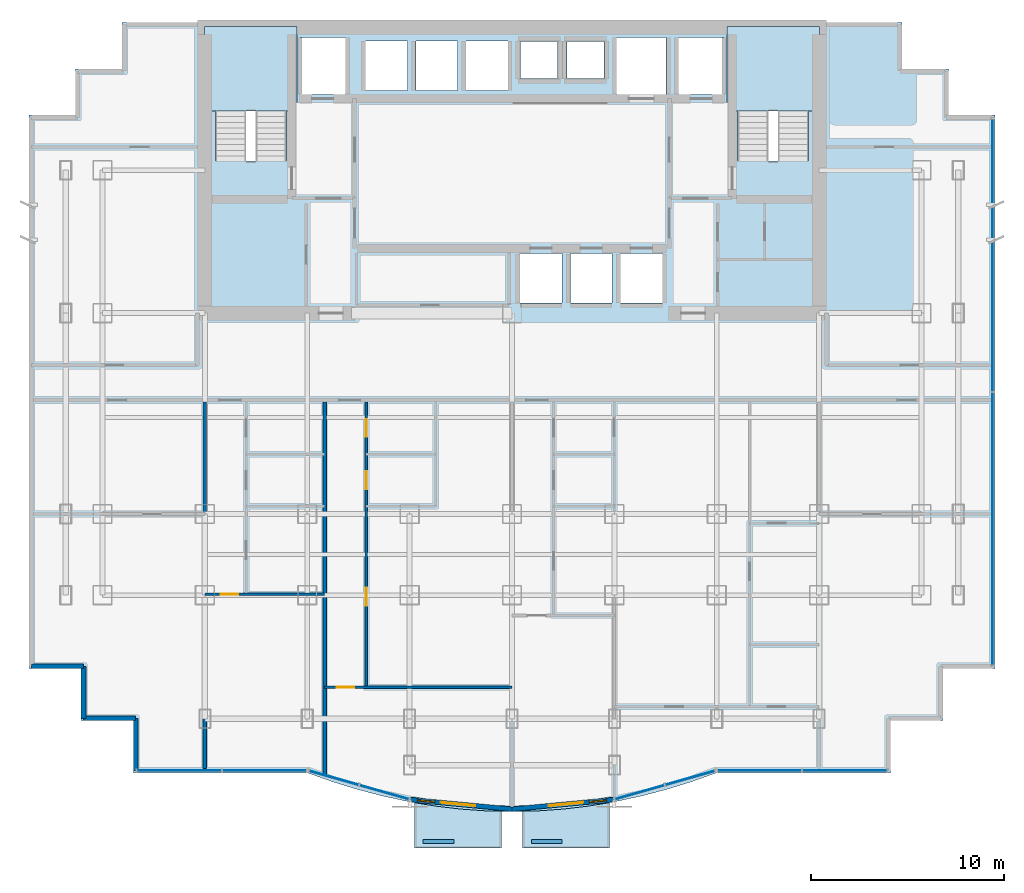
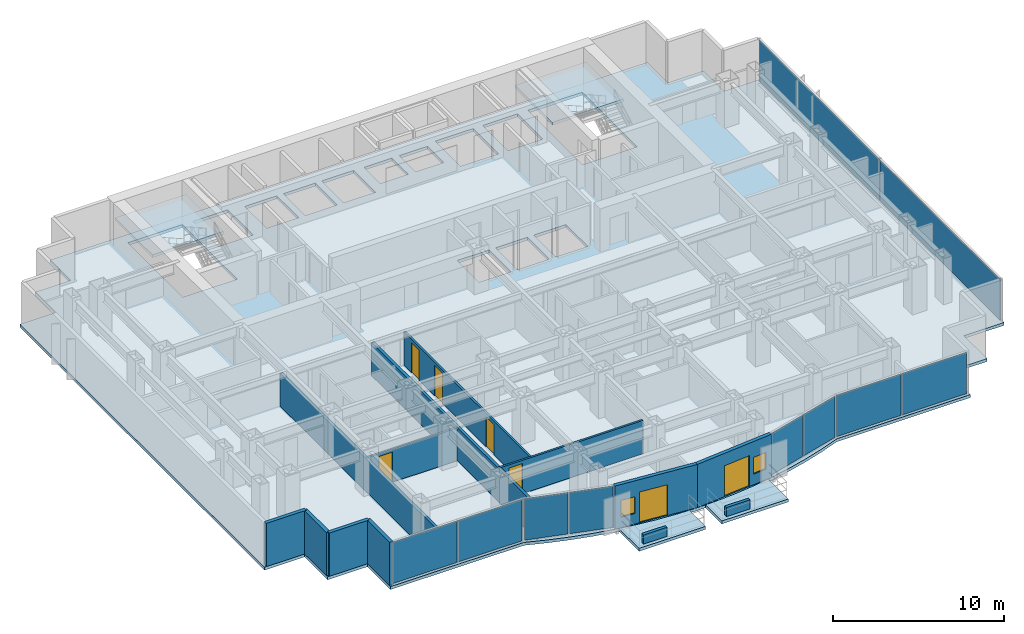
# One storey, part 6 of 12: 13 walls, 10 plates, 7 doors, 5 slabs, 2 windows, 9 openings, 7 elements without a shape of their own.
"""IFC4 building model written with IfcOpenShell, lengths in metres."""

import ifcopenshell
import ifcopenshell.guid

model = None  # the IFC model being written
_history = None  # IfcOwnerHistory: only IFC2X3 demands one
_inside = {}  # id of a spatial element -> (the spatial element, [elements in it])
_under = {}  # id of a project, library or spatial element -> (it, [spatial elements below it])
_declared = {}  # id of a project -> (the project, [libraries it declares])
_typed = {}  # id of a type object -> (the type object, [elements of that type])
_made_of = {}  # id of a material, layer set ... -> (it, [elements and type objects made of it])


def new_model(schema):
    """Start an empty IFC model of exactly this schema.

    Asked for "IFC4X3", IfcOpenShell would pick the latest addendum, in which some entities
    have other attributes; the version numbers below select the first issue.
    IFC2X3 requires an IfcOwnerHistory on every rooted entity: one is made here for all.
    """
    global model, _history
    if schema == "IFC4X3":
        model = ifcopenshell.file(schema_version=(4, 3, 0, 0))
    else:
        model = ifcopenshell.file(schema=schema)
    _inside.clear()
    _under.clear()
    _declared.clear()
    _typed.clear()
    _made_of.clear()
    _history = None
    if model.schema == "IFC2X3":
        org = make("IfcOrganization", Name="unknown")
        user = make(
            "IfcPersonAndOrganization",
            ThePerson=make("IfcPerson", FamilyName="unknown"),
            TheOrganization=org,
        )
        app = make(
            "IfcApplication",
            ApplicationDeveloper=org,
            Version="unknown",
            ApplicationFullName="unknown",
            ApplicationIdentifier="unknown",
        )
        _history = make(
            "IfcOwnerHistory",
            OwningUser=user,
            OwningApplication=app,
            ChangeAction="ADDED",
            CreationDate=0,
        )
    return model


def make(cls, **values):
    """One entity of the class cls with the attributes given. An attribute that is None is left unset."""
    return model.create_entity(
        cls, **{name: value for name, value in values.items() if value is not None}
    )


def rooted(cls, **values):
    """An entity with a GlobalId (a new one), such as an element, a storey or a relation."""
    return make(cls, GlobalId=ifcopenshell.guid.new(), OwnerHistory=_history, **values)


def si_unit(unit_type, name, prefix=None):
    """IfcSIUnit, for example si_unit("LENGTHUNIT", "METRE", prefix="MILLI")."""
    return make("IfcSIUnit", UnitType=unit_type, Prefix=prefix, Name=name)


def assignment(units):
    """IfcUnitAssignment: the units of a project."""
    return None if units is None else make("IfcUnitAssignment", Units=units)


def point(xyz):
    """IfcCartesianPoint."""
    return None if xyz is None else make("IfcCartesianPoint", Coordinates=xyz)


def direction(xyz):
    """IfcDirection."""
    return None if xyz is None else make("IfcDirection", DirectionRatios=xyz)


def frame(location, z_axis=None, x_axis=None):
    """IfcAxis2Placement3D, a coordinate frame: its origin and axes. An axis left out is left unset."""
    return make(
        "IfcAxis2Placement3D",
        Location=point(location),
        Axis=direction(z_axis),
        RefDirection=direction(x_axis),
    )


def frame_2d(location, x_axis=None):
    """IfcAxis2Placement2D, a coordinate frame in the plane: its origin and x axis."""
    return make(
        "IfcAxis2Placement2D", Location=point(location), RefDirection=direction(x_axis)
    )


def origin():
    """The frame at (0, 0, 0) with its axes left unset."""
    return frame((0.0, 0.0, 0.0))


def origin_2d():
    """The frame at (0, 0) in the plane with its x axis left unset."""
    return frame_2d((0.0, 0.0))


def place(relative_to, where):
    """IfcLocalPlacement: puts the frame where relative to a parent placement (None: the world)."""
    return make(
        "IfcLocalPlacement", PlacementRelTo=relative_to, RelativePlacement=where
    )


def context(
    kind, dimensions, precision=None, world=None, true_north=None, identifier=None
):
    """IfcGeometricRepresentationContext, for example the 3D "Model" context."""
    return make(
        "IfcGeometricRepresentationContext",
        ContextIdentifier=identifier,
        ContextType=kind,
        CoordinateSpaceDimension=dimensions,
        Precision=precision,
        WorldCoordinateSystem=world,
        TrueNorth=true_north,
    )


def subcontext(parent, identifier, kind, view, scale=None):
    """IfcGeometricRepresentationSubContext, for example "Body" below "Model"."""
    return make(
        "IfcGeometricRepresentationSubContext",
        ContextIdentifier=identifier,
        ContextType=kind,
        ParentContext=parent,
        TargetScale=scale,
        TargetView=view,
    )


def project(units=None, contexts=None):
    """IfcProject with its units and contexts."""
    return rooted(
        "IfcProject",
        Name="project",
        RepresentationContexts=contexts,
        UnitsInContext=assignment(units),
    )


def spatial(cls, under=None, at=None, **own):
    """A site, building, storey or space (cls), placed at a placement, below another one or the project."""
    s = rooted(cls, ObjectPlacement=at, **own)
    if under is not None:
        _under.setdefault(under.id(), (under, []))[1].append(s)
    return s


def polyline(points):
    """IfcPolyline through the points."""
    return make("IfcPolyline", Points=[point(p) for p in points])


def profile(cls, at=None, kind="AREA", **sizes):
    """A parametric profile (cls). Its sizes go by their IFC names, for example OverallWidth=200.0."""
    return make(cls, ProfileType=kind, Position=at, **sizes)


def rectangle(**sizes):
    """IfcRectangleProfileDef."""
    return profile("IfcRectangleProfileDef", **sizes)


def outline(outer, holes=None, kind="AREA"):
    """IfcArbitraryClosedProfileDef: a profile drawn as a closed curve; with holes, ...WithVoids."""
    if holes is None:
        return make("IfcArbitraryClosedProfileDef", ProfileType=kind, OuterCurve=outer)
    return make(
        "IfcArbitraryProfileDefWithVoids",
        ProfileType=kind,
        OuterCurve=outer,
        InnerCurves=holes,
    )


def extrude(swept, where, along, depth):
    """IfcExtrudedAreaSolid: the profile swept, set in the frame where, extruded along a direction by depth."""
    return make(
        "IfcExtrudedAreaSolid",
        SweptArea=swept,
        Position=where,
        ExtrudedDirection=direction(along),
        Depth=depth,
    )


def shape(context_of_items, identifier, shape_type, items):
    """IfcShapeRepresentation: the items that make up one representation, for example the "Body"."""
    return make(
        "IfcShapeRepresentation",
        ContextOfItems=context_of_items,
        RepresentationIdentifier=identifier,
        RepresentationType=shape_type,
        Items=items,
    )


def source(mapping_origin, context_of_items, identifier, shape_type, items):
    """IfcRepresentationMap: a shape defined once, which mapped items show again and again."""
    return make(
        "IfcRepresentationMap",
        MappingOrigin=mapping_origin,
        MappedRepresentation=shape(context_of_items, identifier, shape_type, items),
    )


def transform(
    local_origin,
    x_axis=None,
    y_axis=None,
    z_axis=None,
    scale=None,
    scale2=None,
    scale3=None,
    uniform=True,
):
    """IfcCartesianTransformationOperator3D, or its non-uniform kind. x_axis, y_axis, z_axis: its Axis1, 2, 3."""
    if uniform:
        return make(
            "IfcCartesianTransformationOperator3D",
            Axis1=direction(x_axis),
            Axis2=direction(y_axis),
            LocalOrigin=point(local_origin),
            Scale=scale,
            Axis3=direction(z_axis),
        )
    return make(
        "IfcCartesianTransformationOperator3DnonUniform",
        Axis1=direction(x_axis),
        Axis2=direction(y_axis),
        LocalOrigin=point(local_origin),
        Scale=scale,
        Axis3=direction(z_axis),
        Scale2=scale2,
        Scale3=scale3,
    )


def mapped(mapping_source, mapping_target):
    """IfcMappedItem: shows the shape of a source again, moved by a transform."""
    return make(
        "IfcMappedItem", MappingSource=mapping_source, MappingTarget=mapping_target
    )


def material(Name=None, Category=None):
    """IfcMaterial."""
    return make("IfcMaterial", Name=Name, Category=Category)


def layer(
    of_material, thickness, ventilated=None, Name=None, Category=None, Priority=None
):
    """IfcMaterialLayer: one layer of a wall or slab, of a material (None: an air gap)."""
    return make(
        "IfcMaterialLayer",
        Material=of_material,
        LayerThickness=thickness,
        IsVentilated=ventilated,
        Name=Name,
        Category=Category,
        Priority=Priority,
    )


def layer_set(layers, Name=None):
    """IfcMaterialLayerSet."""
    return make("IfcMaterialLayerSet", MaterialLayers=layers, LayerSetName=Name)


def made_of(thing, what):
    """Note that an element or type object is made of a material, layer set ...; save() writes the relation."""
    if what is not None:
        _made_of.setdefault(what.id(), (what, []))[1].append(thing)
    return thing


def type_object(cls, material=None, **own):
    """A type object (cls), such as IfcWallType, which elements share."""
    return made_of(rooted(cls, **own), material)


def element(
    cls,
    number,
    at=None,
    inside=None,
    cuts=None,
    type_object=None,
    material=None,
    context=None,
    identifier="Body",
    shape_type=None,
    held_by="IfcProductDefinitionShape",
    body=None,
    shapes=None,
    **own,
):
    """One element of the class cls, such as IfcWall. Its Tag is "e" and its number.

    at: its placement. inside: the storey or other place that contains it. cuts: it is an
    opening in that element (IfcRelVoidsElement). A single representation is given by context,
    identifier, shape_type and body (its items); several are given by shapes. held_by: the class
    of the entity that holds the representations. save() writes the other relations.
    """
    e = rooted(cls, Tag="e%d" % number, ObjectPlacement=at, **own)
    if body is not None:
        shapes = [shape(context, identifier, shape_type, body)]
    if shapes is not None:
        e.Representation = make(held_by, Representations=shapes)
    if inside is not None:
        _inside.setdefault(inside.id(), (inside, []))[1].append(e)
    if cuts is not None:
        rooted(
            "IfcRelVoidsElement", RelatingBuildingElement=cuts, RelatedOpeningElement=e
        )
    if type_object is not None:
        _typed.setdefault(type_object.id(), (type_object, []))[1].append(e)
    return made_of(e, material)


def fill(opening, filler):
    """IfcRelFillsElement: the door or window that sits in an opening."""
    return rooted(
        "IfcRelFillsElement",
        RelatingOpeningElement=opening,
        RelatedBuildingElement=filler,
    )


def aggregate(whole, parts):
    """IfcRelAggregates: a whole, such as a stair, and the parts it consists of."""
    return rooted("IfcRelAggregates", RelatingObject=whole, RelatedObjects=parts)


def save(model, path):
    """Write the relations noted so far, then the file.

    IfcRelAggregates (storeys below a building ...), IfcRelContainedInSpatialStructure (elements
    in a storey), IfcRelDefinesByType, IfcRelAssociatesMaterial and IfcRelDeclares: one each for
    every whole, place, type object, material and project.
    """
    for whole, parts in _under.values():
        aggregate(whole, parts)
    for where, things in _inside.values():
        rooted(
            "IfcRelContainedInSpatialStructure",
            RelatedElements=things,
            RelatingStructure=where,
        )
    for kind, things in _typed.values():
        rooted("IfcRelDefinesByType", RelatedObjects=things, RelatingType=kind)
    for what, things in _made_of.values():
        rooted("IfcRelAssociatesMaterial", RelatedObjects=things, RelatingMaterial=what)
    for by, libraries in _declared.values():
        rooted("IfcRelDeclares", RelatingContext=by, RelatedDefinitions=libraries)
    model.write(path)


model = new_model("IFC4")

# Units and contexts
model_context = context("Model", 3, precision=1e-05, world=origin(), true_north=direction((0.0, 1.0)))
body_context = subcontext(model_context, "Body", "Model", "MODEL_VIEW")
ifc_project = project(units=[si_unit("LENGTHUNIT", "METRE"), si_unit("AREAUNIT", "SQUARE_METRE"), si_unit("VOLUMEUNIT", "CUBIC_METRE"), si_unit("PLANEANGLEUNIT", "RADIAN"), si_unit("MASSUNIT", "GRAM", prefix="KILO")], contexts=[model_context])

# Site, building, storey
site_placement = place(None, origin())
site = spatial("IfcSite", under=ifc_project, at=site_placement, CompositionType="ELEMENT")
building_placement = place(site_placement, origin())
building = spatial("IfcBuilding", under=site, at=building_placement, Name="Qianlan Lanfeng Residences", CompositionType="ELEMENT")
storey_placement = place(building_placement, frame((0.0, 0.0, 85.0)))
storey = spatial("IfcBuildingStorey", under=building, at=storey_placement, Name="L22", CompositionType="ELEMENT", Elevation=85.0)

# Slabs
ifc_material_1 = material(Name="Concrete C42", Category="concrete")
ifc_layer_1 = layer(ifc_material_1, 0.2099609375)
ifc_layer_set_1 = layer_set([ifc_layer_1], Name="Concrete C42")
slab_type_1 = type_object("IfcSlabType", Name="S-BAL-210", PredefinedType="FLOOR", material=ifc_layer_set_1)
slab_1_placement = place(storey_placement, frame((0.0, 0.0, -0.2099609375)))
element("IfcSlab", 1, at=slab_1_placement, inside=storey, type_object=slab_type_1, Name="L22 Planted Tree Balcony Slab SB-W", PredefinedType="FLOOR", context=body_context, shape_type="SweptSolid", body=[
    extrude(outline(polyline([(25.949951171875, -0.5869140625), (25.177001953125, -0.569091796875), (23.85498046875, -0.47509765625), (22.531982421875, -0.319091796875), (21.449951171875, -0.139892578125), (21.449951171875, -2.5), (25.949951171875, -2.5), (25.949951171875, -0.5869140625)])), origin(), (0.0, 0.0, 1.0), 0.2099609375),
])
slab_2_placement = place(storey_placement, frame((0.0, 0.0, -0.2099609375)))
element("IfcSlab", 2, at=slab_2_placement, inside=storey, type_object=slab_type_1, Name="L22 Planted Tree Balcony Slab SB-E", PredefinedType="FLOOR", context=body_context, shape_type="SweptSolid", body=[
    extrude(outline(polyline([(31.550048828125, -0.139892578125), (30.467041015625, -0.319091796875), (29.14501953125, -0.47509765625), (27.822021484375, -0.569091796875), (27.050048828125, -0.5869140625), (27.050048828125, -2.5), (31.550048828125, -2.5), (31.550048828125, -0.139892578125)])), origin(), (0.0, 0.0, 1.0), 0.2099609375),
])
ifc_layer_2 = layer(ifc_material_1, 0.2099609375)
ifc_layer_set_2 = layer_set([ifc_layer_2], Name="Concrete C42")
slab_type_2 = type_object("IfcSlabType", Name="S-FL-210", PredefinedType="FLOOR", material=ifc_layer_set_2)
slab_3_placement = place(storey_placement, frame((0.0, 0.0, -0.2099609375)))
element("IfcSlab", 3, at=slab_3_placement, inside=storey, type_object=slab_type_2, Name="L22 Structural Floor Slab", PredefinedType="FLOOR", context=body_context, shape_type="SweptSolid", body=[
    extrude(outline(polyline([(1.5, 6.800048828125), (4.199951171875, 6.800048828125), (4.199951171875, 4.10009765625), (6.89990234375, 4.10009765625), (6.89990234375, 1.39990234375), (15.919921875, 1.39990234375), (17.241943359375, 0.930908203125), (18.56494140625, 0.52490234375), (19.886962890625, 0.180908203125), (21.2099609375, -0.10009765625), (22.531982421875, -0.319091796875), (23.85498046875, -0.47509765625), (25.177001953125, -0.569091796875), (26.5, -0.60009765625), (27.822021484375, -0.569091796875), (29.14501953125, -0.47509765625), (30.467041015625, -0.319091796875), (31.7900390625, -0.10009765625), (33.112060546875, 0.180908203125), (34.43505859375, 0.52490234375), (35.758056640625, 0.930908203125), (37.080078125, 1.39990234375), (46.10009765625, 1.39990234375), (46.10009765625, 4.10009765625), (48.800048828125, 4.10009765625), (48.800048828125, 6.800048828125), (51.5, 6.800048828125), (51.5, 35.449951171875), (49.10009765625, 35.449951171875), (49.10009765625, 37.85009765625), (46.699951171875, 37.85009765625), (46.699951171875, 40.25), (6.300048828125, 40.25), (6.300048828125, 37.85009765625), (3.89990234375, 37.85009765625), (3.89990234375, 35.449951171875), (1.5, 35.449951171875), (1.5, 6.800048828125)]), holes=[polyline([(11.139892578125, 33.080078125), (11.139892578125, 39.5), (14.820068359375, 39.5), (14.820068359375, 33.080078125), (11.139892578125, 33.080078125)]), polyline([(38.179931640625, 33.080078125), (38.179931640625, 39.5), (41.860107421875, 39.5), (41.860107421875, 33.080078125), (38.179931640625, 33.080078125)]), polyline([(15.52001953125, 36.52001953125), (15.52001953125, 39.47998046875), (17.8798828125, 39.47998046875), (17.8798828125, 36.52001953125), (15.52001953125, 36.52001953125)]), polyline([(35.1201171875, 36.52001953125), (35.1201171875, 39.47998046875), (37.47998046875, 39.47998046875), (37.47998046875, 36.52001953125), (35.1201171875, 36.52001953125)]), polyline([(31.919921875, 36.52001953125), (31.919921875, 39.47998046875), (34.47998046875, 39.47998046875), (34.47998046875, 36.52001953125), (31.919921875, 36.52001953125)]), polyline([(26.919921875, 25.719970703125), (26.919921875, 28.280029296875), (29.080078125, 28.280029296875), (29.080078125, 25.719970703125), (26.919921875, 25.719970703125)]), polyline([(29.52001953125, 25.719970703125), (29.52001953125, 28.280029296875), (31.679931640625, 28.280029296875), (31.679931640625, 25.719970703125), (29.52001953125, 25.719970703125)]), polyline([(32.1201171875, 25.719970703125), (32.1201171875, 28.280029296875), (34.280029296875, 28.280029296875), (34.280029296875, 25.719970703125), (32.1201171875, 25.719970703125)]), polyline([(18.919921875, 36.719970703125), (18.919921875, 39.280029296875), (21.080078125, 39.280029296875), (21.080078125, 36.719970703125), (18.919921875, 36.719970703125)]), polyline([(21.52001953125, 36.719970703125), (21.52001953125, 39.280029296875), (23.679931640625, 39.280029296875), (23.679931640625, 36.719970703125), (21.52001953125, 36.719970703125)]), polyline([(24.1201171875, 36.719970703125), (24.1201171875, 39.280029296875), (26.280029296875, 39.280029296875), (26.280029296875, 36.719970703125), (24.1201171875, 36.719970703125)]), polyline([(26.949951171875, 37.35009765625), (26.949951171875, 39.25), (28.85009765625, 39.25), (28.85009765625, 37.35009765625), (26.949951171875, 37.35009765625)]), polyline([(29.35009765625, 37.35009765625), (29.35009765625, 39.25), (31.25, 39.25), (31.25, 37.35009765625), (29.35009765625, 37.35009765625)])]), origin(), (0.0, 0.0, 1.0), 0.2099609375),
])

# Stair, slab
stair_type = type_object("IfcStairType", Name="STR-MAIN", PredefinedType="HALF_TURN_STAIR", material=ifc_material_1)
stair_1_placement = place(storey_placement, origin())
stair_1 = element("IfcStair", 4, at=stair_1_placement, inside=storey, type_object=stair_type, Name="L22 Exit Stair ST-1", PredefinedType="HALF_TURN_STAIR")
ifc_layer_3 = layer(ifc_material_1, 0.179931640625)
ifc_layer_set_3 = layer_set([ifc_layer_3], Name="Concrete C42")
slab_type_3 = type_object("IfcSlabType", Name="S-LND-180", PredefinedType="LANDING", material=ifc_layer_set_3)
slab_4_placement = place(storey_placement, frame((0.0, 0.0, 1.449951171875)))
slab_4 = element("IfcSlab", 5, at=slab_4_placement, type_object=slab_type_3, Name="ST-1 landing 1", PredefinedType="LANDING", context=body_context, shape_type="SweptSolid", body=[
    extrude(outline(polyline([(10.580078125, 35.659912109375), (15.3798828125, 35.659912109375), (15.3798828125, 40.050048828125), (10.580078125, 40.050048828125), (10.580078125, 35.659912109375)])), origin(), (0.0, 0.0, 1.0), 0.199951171875),
])
aggregate(stair_1, [slab_4])

stair_2_placement = place(storey_placement, origin())
stair_2 = element("IfcStair", 6, at=stair_2_placement, inside=storey, type_object=stair_type, Name="L22 Exit Stair ST-2", PredefinedType="HALF_TURN_STAIR")
slab_5_placement = place(storey_placement, frame((0.0, 0.0, 1.449951171875)))
slab_5 = element("IfcSlab", 7, at=slab_5_placement, type_object=slab_type_3, Name="ST-2 landing 1", PredefinedType="LANDING", context=body_context, shape_type="SweptSolid", body=[
    extrude(outline(polyline([(37.6201171875, 35.659912109375), (42.419921875, 35.659912109375), (42.419921875, 40.050048828125), (37.6201171875, 40.050048828125), (37.6201171875, 35.659912109375)])), origin(), (0.0, 0.0, 1.0), 0.199951171875),
])
aggregate(stair_2, [slab_5])

# Curtain wall, plates
ifc_material_2 = material(Name="Anodised Bronze Aluminium 6063-T6", Category="aluminium")
ifc_layer_4 = layer(ifc_material_2, 0.219970703125)
ifc_layer_set_4 = layer_set([ifc_layer_4], Name="Anodised Bronze Aluminium 6063-T6")
curtain_wall_type = type_object("IfcCurtainWallType", Name="CW-03", PredefinedType="NOTDEFINED", material=ifc_layer_set_4)
curtain_wall_1_placement = place(storey_placement, origin())
curtain_wall_1 = element("IfcCurtainWall", 8, at=curtain_wall_1_placement, inside=storey, type_object=curtain_wall_type, Name="L22 Unitised Curtain Wall CWR-L22-01 (CW-03)", PredefinedType="NOTDEFINED")
ifc_material_3 = material(Name="Dark Bronze Tinted Insulated Glass", Category="glass")
ifc_layer_5 = layer(ifc_material_3, 0.0380859375)
ifc_layer_set_5 = layer_set([ifc_layer_5], Name="Dark Bronze Tinted Insulated Glass")
plate_type_1 = type_object("IfcPlateType", Name="PNL-GLZ-BRZ", PredefinedType="CURTAIN_PANEL", material=ifc_layer_set_5)
shared_shape_1 = source(origin(), body_context, "Body", "SweptSolid", [
    extrude(rectangle(XDim=4.342529296875, YDim=0.0380859375, at=origin_2d()), origin(), (0.0, 0.0, 1.0), 2.931884765625),
])
plate_1_placement = place(storey_placement, frame((9.270263671875, 1.52001953125, 0.0791015625), z_axis=(0.0, 0.0, 1.0), x_axis=(1.0, 0.0, 0.0)))
plate_1 = element("IfcPlate", 9, at=plate_1_placement, type_object=plate_type_1, Name="CWR-L22-01 Curtain Panel 1", PredefinedType="CURTAIN_PANEL", context=body_context, shape_type="MappedRepresentation", body=[
    mapped(shared_shape_1, transform((0.0, 0.0, 0.0), scale=1.0)),
])
plate_2_placement = place(storey_placement, frame((13.690673828125, 1.52001953125, 0.0791015625), z_axis=(0.0, 0.0, 1.0), x_axis=(1.0, 0.0, 0.0)))
plate_2 = element("IfcPlate", 10, at=plate_2_placement, type_object=plate_type_1, Name="CWR-L22-01 Curtain Panel 2", PredefinedType="CURTAIN_PANEL", context=body_context, shape_type="MappedRepresentation", body=[
    mapped(shared_shape_1, transform((0.0, 0.0, 0.0), scale=1.0)),
])
aggregate(curtain_wall_1, [plate_1, plate_2])

# Curtain wall, plate
curtain_wall_2_placement = place(storey_placement, origin())
curtain_wall_2 = element("IfcCurtainWall", 11, at=curtain_wall_2_placement, inside=storey, type_object=curtain_wall_type, Name="L22 Unitised Curtain Wall CWR-L22-04 (CW-03)", PredefinedType="NOTDEFINED")
plate_3_placement = place(storey_placement, frame((39.30908203125, 1.52001953125, 0.0791015625), z_axis=(0.0, 0.0, 1.0), x_axis=(1.0, 0.0, 0.0)))
plate_3 = element("IfcPlate", 12, at=plate_3_placement, type_object=plate_type_1, Name="CWR-L22-04 Curtain Panel 1", PredefinedType="CURTAIN_PANEL", context=body_context, shape_type="MappedRepresentation", body=[
    mapped(shared_shape_1, transform((0.0, 0.0, 0.0), scale=1.0)),
])

curtain_wall_3_placement = place(storey_placement, origin())
curtain_wall_3 = element("IfcCurtainWall", 13, at=curtain_wall_3_placement, inside=storey, type_object=curtain_wall_type, Name="L22 Unitised Curtain Wall CWR-L22-02 (CW-03)", PredefinedType="NOTDEFINED")
shared_shape_2 = source(origin(), body_context, "Body", "SweptSolid", [
    extrude(rectangle(XDim=2.632080078125, YDim=0.0380859375, at=origin_2d()), origin(), (0.0, 0.0, 1.0), 2.931884765625),
])
plate_4_placement = place(storey_placement, frame((17.282958984375, 1.138916015625, 0.0791015625), z_axis=(0.0, 0.0, 1.0), x_axis=(0.961989074302, -0.273087936247, 0.0)))
plate_4 = element("IfcPlate", 14, at=plate_4_placement, type_object=plate_type_1, Name="CWR-L22-02 Curtain Panel 1", PredefinedType="CURTAIN_PANEL", context=body_context, shape_type="MappedRepresentation", body=[
    mapped(shared_shape_2, transform((0.0, 0.0, 0.0), scale=1.0)),
])

# Curtain wall, plates
curtain_wall_4_placement = place(storey_placement, origin())
curtain_wall_4 = element("IfcCurtainWall", 15, at=curtain_wall_4_placement, inside=storey, type_object=curtain_wall_type, Name="L22 Unitised Curtain Wall CWR-L22-03 (CW-03)", PredefinedType="NOTDEFINED")
plate_5_placement = place(storey_placement, frame((33.110107421875, 0.39892578125, 0.0791015625), z_axis=(0.0, 0.0, 1.0), x_axis=(0.961989074302, 0.273087936247, 0.0)))
plate_5 = element("IfcPlate", 16, at=plate_5_placement, type_object=plate_type_1, Name="CWR-L22-03 Curtain Panel 1", PredefinedType="CURTAIN_PANEL", context=body_context, shape_type="MappedRepresentation", body=[
    mapped(shared_shape_2, transform((0.0, 0.0, 0.0), scale=1.0)),
])
plate_6_placement = place(storey_placement, frame((35.717041015625, 1.138916015625, 0.0791015625), z_axis=(0.0, 0.0, 1.0), x_axis=(0.961989074302, 0.273087936247, 0.0)))
plate_6 = element("IfcPlate", 17, at=plate_6_placement, type_object=plate_type_1, Name="CWR-L22-03 Curtain Panel 2", PredefinedType="CURTAIN_PANEL", context=body_context, shape_type="MappedRepresentation", body=[
    mapped(shared_shape_2, transform((0.0, 0.0, 0.0), scale=1.0)),
])
aggregate(curtain_wall_4, [plate_5, plate_6])

# Plate
ifc_material_4 = material(Name="Perforated Champagne Gold Aluminium Panel", Category="aluminium")
ifc_layer_6 = layer(ifc_material_4, 0.0400390625)
ifc_layer_set_6 = layer_set([ifc_layer_6], Name="Perforated Champagne Gold Aluminium Panel")
plate_type_2 = type_object("IfcPlateType", Name="PNL-PRF-GLD", PredefinedType="CURTAIN_PANEL", material=ifc_layer_set_6)
shared_shape_3 = source(origin(), body_context, "Body", "SweptSolid", [
    extrude(rectangle(XDim=2.632080078125, YDim=0.0400390625, at=origin_2d()), origin(), (0.0, 0.0, 1.0), 2.931884765625),
])
plate_7_placement = place(storey_placement, frame((19.889892578125, 0.39892578125, 0.0791015625), z_axis=(0.0, 0.0, 1.0), x_axis=(0.961989074302, -0.273087936247, 0.0)))
plate_7 = element("IfcPlate", 18, at=plate_7_placement, type_object=plate_type_2, Name="CWR-L22-02 Curtain Panel 2", PredefinedType="CURTAIN_PANEL", context=body_context, shape_type="MappedRepresentation", body=[
    mapped(shared_shape_3, transform((0.0, 0.0, 0.0), scale=1.0)),
])

aggregate(curtain_wall_3, [plate_4, plate_7])

shared_shape_4 = source(origin(), body_context, "Body", "SweptSolid", [
    extrude(rectangle(XDim=4.342529296875, YDim=0.0400390625, at=origin_2d()), origin(), (0.0, 0.0, 1.0), 2.931884765625),
])
plate_8_placement = place(storey_placement, frame((43.729736328125, 1.52001953125, 0.0791015625), z_axis=(0.0, 0.0, 1.0), x_axis=(1.0, 0.0, 0.0)))
plate_8 = element("IfcPlate", 19, at=plate_8_placement, type_object=plate_type_2, Name="CWR-L22-04 Curtain Panel 2", PredefinedType="CURTAIN_PANEL", context=body_context, shape_type="MappedRepresentation", body=[
    mapped(shared_shape_4, transform((0.0, 0.0, 0.0), scale=1.0)),
])

aggregate(curtain_wall_2, [plate_3, plate_8])

# Curtain wall, plates
curtain_wall_5_placement = place(storey_placement, origin())
curtain_wall_5 = element("IfcCurtainWall", 20, at=curtain_wall_5_placement, inside=storey, type_object=curtain_wall_type, Name="L22 Unitised Curtain Wall CWR-L22-05 (CW-03)", PredefinedType="NOTDEFINED")
shared_shape_5 = source(origin(), body_context, "Body", "SweptSolid", [
    extrude(rectangle(XDim=14.0869140625, YDim=0.0380859375, at=origin_2d()), origin(), (0.0, 0.0, 1.0), 2.931884765625),
])
plate_9_placement = place(storey_placement, frame((51.3798828125, 14.04248046875, 0.0791015625), z_axis=(0.0, 0.0, 1.0), x_axis=(0.0, 1.0, 0.0)))
plate_9 = element("IfcPlate", 21, at=plate_9_placement, type_object=plate_type_1, Name="CWR-L22-05 Curtain Panel 1", PredefinedType="CURTAIN_PANEL", context=body_context, shape_type="MappedRepresentation", body=[
    mapped(shared_shape_5, transform((0.0, 0.0, 0.0), scale=1.0)),
])
plate_10_placement = place(storey_placement, frame((51.3798828125, 28.20751953125, 0.0791015625), z_axis=(0.0, 0.0, 1.0), x_axis=(0.0, 1.0, 0.0)))
plate_10 = element("IfcPlate", 22, at=plate_10_placement, type_object=plate_type_1, Name="CWR-L22-05 Curtain Panel 2", PredefinedType="CURTAIN_PANEL", context=body_context, shape_type="MappedRepresentation", body=[
    mapped(shared_shape_5, transform((0.0, 0.0, 0.0), scale=1.0)),
])
aggregate(curtain_wall_5, [plate_9, plate_10])

# Walls
ifc_layer_7 = layer(ifc_material_1, 0.239990234375)
ifc_layer_set_7 = layer_set([ifc_layer_7], Name="Concrete C42")
wall_type_1 = type_object("IfcWallType", Name="EW-240", PredefinedType="SOLIDWALL", material=ifc_layer_set_7)
for number, where, z_axis, x_axis, name in (
    (23, (1.6201171875, 6.919921875, 0.0), (0.0, 0.0, 1.0), (1.0, 0.0, 0.0), "L22 Exterior Facade Spandrel Wall 1"),
    (24, (4.320068359375, 6.919921875, 0.0), (0.0, 0.0, 1.0), (0.0, -1.0, 0.0), "L22 Exterior Facade Spandrel Wall 2"),
    (25, (4.320068359375, 4.219970703125, 0.0), (0.0, 0.0, 1.0), (1.0, 0.0, 0.0), "L22 Exterior Facade Spandrel Wall 3"),
    (26, (7.02001953125, 4.219970703125, 0.0), (0.0, 0.0, 1.0), (0.0, -1.0, 0.0), "L22 Exterior Facade Spandrel Wall 4"),
):
    element("IfcWall", number, at=place(storey_placement, frame(where, z_axis=z_axis, x_axis=x_axis)), inside=storey, type_object=wall_type_1, Name=name, PredefinedType="SOLIDWALL", context=body_context, shape_type="SweptSolid", body=[
        extrude(rectangle(XDim=2.699951171875, YDim=0.239990234375, at=frame_2d((1.35009765625, 0.0))), origin(), (0.0, 0.0, 1.0), 3.090087890625),
    ])

# Wall, openings, door, window
wall_1_placement = place(storey_placement, frame((21.23193359375, 0.01806640625, 0.0), z_axis=(0.0, 0.0, 1.0), x_axis=(0.995560760834, -0.094121046997, 0.0)))
wall_1 = element("IfcWall", 27, at=wall_1_placement, inside=storey, type_object=wall_type_1, Name="L22 Terrace/Balcony Access Exterior Wall 5", PredefinedType="SOLIDWALL", context=body_context, shape_type="SweptSolid", body=[
    extrude(rectangle(XDim=5.29150390625, YDim=0.239990234375, at=frame_2d((2.645751953125, 0.0))), origin(), (0.0, 0.0, 1.0), 3.090087890625),
])
opening_1_placement = place(wall_1_placement, frame((1.576904296875, 0.0, 0.0)))
opening_1 = element("IfcOpeningElement", 28, at=opening_1_placement, cuts=wall_1, Name="Opening L22-D-SB-W", PredefinedType="OPENING", context=body_context, shape_type="SweptSolid", body=[
    extrude(rectangle(XDim=1.800048828125, YDim=2.199951171875, at=frame_2d((0.89990234375, 1.10009765625))), frame((0.0, 0.1298828125, 0.0), z_axis=(0.0, -1.0, 0.0), x_axis=(1.0, 0.0, 0.0)), (0.0, 0.0, 1.0), 0.260009765625),
])
opening_2_placement = place(wall_1_placement, frame((0.37890625, 0.0, 0.75)))
opening_2 = element("IfcOpeningElement", 29, at=opening_2_placement, cuts=wall_1, Name="Opening W-04", PredefinedType="OPENING", context=body_context, shape_type="SweptSolid", body=[
    extrude(rectangle(XDim=0.89990234375, YDim=1.199951171875, at=frame_2d((0.449951171875, 0.60009765625))), frame((0.0, 0.1298828125, 0.0), z_axis=(0.0, -1.0, 0.0), x_axis=(1.0, 0.0, 0.0)), (0.0, 0.0, 1.0), 0.260009765625),
])
ifc_material_5 = material(Name="Anodised Bronze Aluminium Framed Glass", Category="aluminium")
door_type_1 = type_object("IfcDoorType", Name="DT-BAL1", OperationType="NOTDEFINED", PredefinedType="DOOR", material=ifc_material_5)
door_1_placement = place(opening_1_placement, frame((1.800048828125, 0.0, 0.0), z_axis=(0.0, 0.0, 1.0), x_axis=(-1.0, 0.0, 0.0)))
door_1 = element("IfcDoor", 30, at=door_1_placement, inside=storey, type_object=door_type_1, Name="L22 Exterior Access Door SB-W", OperationType="DOUBLE_DOOR_SLIDING", OverallHeight=2.199951171875, OverallWidth=1.800048828125, PredefinedType="DOOR", context=body_context, shape_type="SweptSolid", body=[
    extrude(rectangle(XDim=1.800048828125, YDim=2.199951171875, at=frame_2d((0.89990234375, 1.10009765625))), frame((0.0, 0.02490234375, 0.0), z_axis=(0.0, -1.0, 0.0), x_axis=(1.0, 0.0, 0.0)), (0.0, 0.0, 1.0), 0.050048828125),
])
fill(opening_1, door_1)
ifc_material_6 = material(Name="Anodised Bronze Aluminium Framed Double Glazing", Category="aluminium")
window_type = type_object("IfcWindowType", Name="W-04", PartitioningType="SINGLE_PANEL", PredefinedType="WINDOW", material=ifc_material_6)
window_1_placement = place(opening_2_placement, origin())
window_1 = element("IfcWindow", 31, at=window_1_placement, inside=storey, type_object=window_type, Name="L22 Exterior Window W-03", OverallHeight=1.199951171875, OverallWidth=0.89990234375, PartitioningType="SINGLE_PANEL", PredefinedType="WINDOW", context=body_context, shape_type="SweptSolid", body=[
    extrude(rectangle(XDim=0.89990234375, YDim=1.199951171875, at=frame_2d((0.449951171875, 0.60009765625))), frame((0.0, 0.030029296875, 0.0), z_axis=(0.0, -1.0, 0.0), x_axis=(1.0, 0.0, 0.0)), (0.0, 0.0, 1.0), 0.06005859375),
])
fill(opening_2, window_1)

wall_2_placement = place(storey_placement, frame((26.5, -0.47998046875, 0.0), z_axis=(0.0, 0.0, 1.0), x_axis=(0.995560760834, 0.094121046997, 0.0)))
wall_2 = element("IfcWall", 32, at=wall_2_placement, inside=storey, type_object=wall_type_1, Name="L22 Terrace/Balcony Access Exterior Wall 6", PredefinedType="SOLIDWALL", context=body_context, shape_type="SweptSolid", body=[
    extrude(rectangle(XDim=5.29150390625, YDim=0.239990234375, at=frame_2d((2.645751953125, 0.0))), origin(), (0.0, 0.0, 1.0), 3.090087890625),
])
opening_3_placement = place(wall_2_placement, frame((1.9140625, 0.0, 0.0)))
opening_3 = element("IfcOpeningElement", 33, at=opening_3_placement, cuts=wall_2, Name="Opening L22-D-SB-E", PredefinedType="OPENING", context=body_context, shape_type="SweptSolid", body=[
    extrude(rectangle(XDim=1.800048828125, YDim=2.199951171875, at=frame_2d((0.89990234375, 1.10009765625))), frame((0.0, 0.1298828125, 0.0), z_axis=(0.0, -1.0, 0.0), x_axis=(1.0, 0.0, 0.0)), (0.0, 0.0, 1.0), 0.260009765625),
])
opening_4_placement = place(wall_2_placement, frame((4.012939453125, 0.0, 0.75)))
opening_4 = element("IfcOpeningElement", 34, at=opening_4_placement, cuts=wall_2, Name="Opening W-04", PredefinedType="OPENING", context=body_context, shape_type="SweptSolid", body=[
    extrude(rectangle(XDim=0.89990234375, YDim=1.199951171875, at=frame_2d((0.449951171875, 0.60009765625))), frame((0.0, 0.1298828125, 0.0), z_axis=(0.0, -1.0, 0.0), x_axis=(1.0, 0.0, 0.0)), (0.0, 0.0, 1.0), 0.260009765625),
])
door_2_placement = place(opening_3_placement, frame((1.800048828125, 0.0, 0.0), z_axis=(0.0, 0.0, 1.0), x_axis=(-1.0, 0.0, 0.0)))
door_2 = element("IfcDoor", 35, at=door_2_placement, inside=storey, type_object=door_type_1, Name="L22 Exterior Access Door SB-E", OperationType="DOUBLE_DOOR_SLIDING", OverallHeight=2.199951171875, OverallWidth=1.800048828125, PredefinedType="DOOR", context=body_context, shape_type="SweptSolid", body=[
    extrude(rectangle(XDim=1.800048828125, YDim=2.199951171875, at=frame_2d((0.89990234375, 1.10009765625))), frame((0.0, 0.02490234375, 0.0), z_axis=(0.0, -1.0, 0.0), x_axis=(1.0, 0.0, 0.0)), (0.0, 0.0, 1.0), 0.050048828125),
])
fill(opening_3, door_2)
window_2_placement = place(opening_4_placement, origin())
window_2 = element("IfcWindow", 36, at=window_2_placement, inside=storey, type_object=window_type, Name="L22 Exterior Window W-03", OverallHeight=1.199951171875, OverallWidth=0.89990234375, PartitioningType="SINGLE_PANEL", PredefinedType="WINDOW", context=body_context, shape_type="SweptSolid", body=[
    extrude(rectangle(XDim=0.89990234375, YDim=1.199951171875, at=frame_2d((0.449951171875, 0.60009765625))), frame((0.0, 0.030029296875, 0.0), z_axis=(0.0, -1.0, 0.0), x_axis=(1.0, 0.0, 0.0)), (0.0, 0.0, 1.0), 0.06005859375),
])
fill(opening_4, window_2)

# Walls
ifc_layer_8 = layer(ifc_material_1, 0.199951171875)
ifc_layer_set_8 = layer_set([ifc_layer_8], Name="Concrete C42")
wall_type_2 = type_object("IfcWallType", Name="PL-TREE-200", PredefinedType="PARAPET", material=ifc_layer_set_8)
for number, where, z_axis, x_axis, name in (
    (37, (21.89990234375, -2.14990234375, 0.0), (0.0, 0.0, 1.0), (1.0, 0.0, 0.0), "L22 Balcony Tree Planter Curb SB-W"),
    (38, (27.5, -2.14990234375, 0.0), (0.0, 0.0, 1.0), (1.0, 0.0, 0.0), "L22 Balcony Tree Planter Curb SB-E"),
):
    element("IfcWall", number, at=place(storey_placement, frame(where, z_axis=z_axis, x_axis=x_axis)), inside=storey, type_object=wall_type_2, Name=name, PredefinedType="PARAPET", context=body_context, shape_type="SweptSolid", body=[
        extrude(rectangle(XDim=1.60009765625, YDim=0.199951171875, at=frame_2d((0.800048828125, 0.0))), origin(), (0.0, 0.0, 1.0), 0.64990234375),
    ])

# Wall, opening, door
ifc_material_7 = material(Name="Moisture-Resistant Gypsum Partition 135 mm")
ifc_layer_9 = layer(ifc_material_7, 0.135009765625)
ifc_layer_set_9 = layer_set([ifc_layer_9], Name="Moisture-Resistant Gypsum Partition 135 mm")
wall_type_3 = type_object("IfcWallType", Name="PW-135", PredefinedType="PARTITIONING", material=ifc_layer_set_9)
wall_3_placement = place(storey_placement, frame((10.60009765625, 10.652099609375, 0.0), z_axis=(0.0, 0.0, 1.0), x_axis=(1.0, 0.0, 0.0)))
wall_3 = element("IfcWall", 39, at=wall_3_placement, inside=storey, type_object=wall_type_3, Name="L22 U01 Living Divider", PredefinedType="PARTITIONING", context=body_context, shape_type="SweptSolid", body=[
    extrude(rectangle(XDim=6.199951171875, YDim=0.135009765625, at=frame_2d((3.10009765625, 0.0))), origin(), (0.0, 0.0, 1.0), 2.3349609375),
])
opening_5_placement = place(wall_3_placement, frame((0.81494140625, 0.0, 0.0)))
opening_5 = element("IfcOpeningElement", 40, at=opening_5_placement, cuts=wall_3, Name="Opening L22-D17", PredefinedType="OPENING", context=body_context, shape_type="SweptSolid", body=[
    extrude(rectangle(XDim=0.919921875, YDim=2.14990234375, at=frame_2d((0.4599609375, 1.074951171875))), frame((0.0, 0.07763671875, 0.0), z_axis=(0.0, -1.0, 0.0), x_axis=(1.0, 0.0, 0.0)), (0.0, 0.0, 1.0), 0.155029296875),
])
ifc_material_8 = material(Name="Glazed Timber Kitchen/Study Door", Category="wood")
door_type_2 = type_object("IfcDoorType", Name="DT-INT", OperationType="NOTDEFINED", PredefinedType="DOOR", material=ifc_material_8)
door_3_placement = place(opening_5_placement, origin())
door_3 = element("IfcDoor", 41, at=door_3_placement, inside=storey, type_object=door_type_2, Name="L22 U01 Living Passage Door L22-D17 (DT-INT)", OperationType="SINGLE_SWING_RIGHT", OverallHeight=2.14990234375, OverallWidth=0.919921875, PredefinedType="DOOR", context=body_context, shape_type="SweptSolid", body=[
    extrude(rectangle(XDim=0.919921875, YDim=2.14990234375, at=frame_2d((0.4599609375, 1.074951171875))), frame((0.0, 0.02490234375, 0.0), z_axis=(0.0, -1.0, 0.0), x_axis=(1.0, 0.0, 0.0)), (0.0, 0.0, 1.0), 0.050048828125),
])
fill(opening_5, door_3)

wall_4_placement = place(storey_placement, frame((16.800048828125, 5.822998046875, 0.0), z_axis=(0.0, 0.0, 1.0), x_axis=(1.0, 0.0, 0.0)))
wall_4 = element("IfcWall", 42, at=wall_4_placement, inside=storey, type_object=wall_type_3, Name="L22 U02 Living Divider", PredefinedType="PARTITIONING", context=body_context, shape_type="SweptSolid", body=[
    extrude(rectangle(XDim=9.699951171875, YDim=0.135009765625, at=frame_2d((4.85009765625, 0.0))), origin(), (0.0, 0.0, 1.0), 2.3798828125),
])
opening_6_placement = place(wall_4_placement, frame((0.614990234375, 0.0, 0.0)))
opening_6 = element("IfcOpeningElement", 43, at=opening_6_placement, cuts=wall_4, Name="Opening L22-D22", PredefinedType="OPENING", context=body_context, shape_type="SweptSolid", body=[
    extrude(rectangle(XDim=0.919921875, YDim=2.14990234375, at=frame_2d((0.4599609375, 1.074951171875))), frame((0.0, 0.07763671875, 0.0), z_axis=(0.0, -1.0, 0.0), x_axis=(1.0, 0.0, 0.0)), (0.0, 0.0, 1.0), 0.155029296875),
])
door_4_placement = place(opening_6_placement, frame((0.919921875, 0.0, 0.0), z_axis=(0.0, 0.0, 1.0), x_axis=(-1.0, 0.0, 0.0)))
door_4 = element("IfcDoor", 44, at=door_4_placement, inside=storey, type_object=door_type_2, Name="L22 U02 Living Passage Door L22-D22 (DT-INT)", OperationType="SINGLE_SWING_RIGHT", OverallHeight=2.14990234375, OverallWidth=0.919921875, PredefinedType="DOOR", context=body_context, shape_type="SweptSolid", body=[
    extrude(rectangle(XDim=0.919921875, YDim=2.14990234375, at=frame_2d((0.4599609375, 1.074951171875))), frame((0.0, 0.02490234375, 0.0), z_axis=(0.0, -1.0, 0.0), x_axis=(1.0, 0.0, 0.0)), (0.0, 0.0, 1.0), 0.050048828125),
])
fill(opening_6, door_4)

# Wall, openings, doors
wall_5_placement = place(storey_placement, frame((18.949951171875, 5.822998046875, 0.0), z_axis=(0.0, 0.0, 1.0), x_axis=(0.0, 1.0, 0.0)))
wall_5 = element("IfcWall", 45, at=wall_5_placement, inside=storey, type_object=wall_type_3, Name="L22 U02 Entry Hall Spine", PredefinedType="PARTITIONING", context=body_context, shape_type="SweptSolid", body=[
    extrude(rectangle(XDim=14.777099609375, YDim=0.135009765625, at=frame_2d((7.388671875, 0.0))), origin(), (0.0, 0.0, 1.0), 2.3798828125),
])
opening_7_placement = place(wall_5_placement, frame((4.22900390625, 0.0, 0.0)))
opening_7 = element("IfcOpeningElement", 46, at=opening_7_placement, cuts=wall_5, Name="Opening L22-D23", PredefinedType="OPENING", context=body_context, shape_type="SweptSolid", body=[
    extrude(rectangle(XDim=0.919921875, YDim=2.14990234375, at=frame_2d((0.4599609375, 1.074951171875))), frame((0.0, 0.07763671875, 0.0), z_axis=(0.0, -1.0, 0.0), x_axis=(1.0, 0.0, 0.0)), (0.0, 0.0, 1.0), 0.155029296875),
])
opening_8_placement = place(wall_5_placement, frame((10.26708984375, 0.0, 0.0)))
opening_8 = element("IfcOpeningElement", 47, at=opening_8_placement, cuts=wall_5, Name="Opening L22-D24", PredefinedType="OPENING", context=body_context, shape_type="SweptSolid", body=[
    extrude(rectangle(XDim=0.919921875, YDim=2.14990234375, at=frame_2d((0.4599609375, 1.074951171875))), frame((0.0, 0.07763671875, 0.0), z_axis=(0.0, -1.0, 0.0), x_axis=(1.0, 0.0, 0.0)), (0.0, 0.0, 1.0), 0.155029296875),
])
opening_9_placement = place(wall_5_placement, frame((12.97705078125, 0.0, 0.0)))
opening_9 = element("IfcOpeningElement", 48, at=opening_9_placement, cuts=wall_5, Name="Opening L22-D25", PredefinedType="OPENING", context=body_context, shape_type="SweptSolid", body=[
    extrude(rectangle(XDim=0.89990234375, YDim=2.14990234375, at=frame_2d((0.449951171875, 1.074951171875))), frame((0.0, 0.07763671875, 0.0), z_axis=(0.0, -1.0, 0.0), x_axis=(1.0, 0.0, 0.0)), (0.0, 0.0, 1.0), 0.155029296875),
])
door_5_placement = place(opening_7_placement, origin())
door_5 = element("IfcDoor", 49, at=door_5_placement, inside=storey, type_object=door_type_2, Name="L22 U02 Study Door L22-D23 (DT-INT)", OperationType="SINGLE_SWING_LEFT", OverallHeight=2.14990234375, OverallWidth=0.919921875, PredefinedType="DOOR", context=body_context, shape_type="SweptSolid", body=[
    extrude(rectangle(XDim=0.919921875, YDim=2.14990234375, at=frame_2d((0.4599609375, 1.074951171875))), frame((0.0, 0.02490234375, 0.0), z_axis=(0.0, -1.0, 0.0), x_axis=(1.0, 0.0, 0.0)), (0.0, 0.0, 1.0), 0.050048828125),
])
fill(opening_7, door_5)
door_6_placement = place(opening_8_placement, origin())
door_6 = element("IfcDoor", 50, at=door_6_placement, inside=storey, type_object=door_type_2, Name="L22 U02 Kitchen Door L22-D24 (DT-INT)", OperationType="SINGLE_SWING_RIGHT", OverallHeight=2.14990234375, OverallWidth=0.919921875, PredefinedType="DOOR", context=body_context, shape_type="SweptSolid", body=[
    extrude(rectangle(XDim=0.919921875, YDim=2.14990234375, at=frame_2d((0.4599609375, 1.074951171875))), frame((0.0, 0.02490234375, 0.0), z_axis=(0.0, -1.0, 0.0), x_axis=(1.0, 0.0, 0.0)), (0.0, 0.0, 1.0), 0.050048828125),
])
fill(opening_8, door_6)
ifc_material_9 = material(Name="Moisture-Resistant Timber Leaf", Category="wood")
door_type_3 = type_object("IfcDoorType", Name="DT-WC", OperationType="NOTDEFINED", PredefinedType="DOOR", material=ifc_material_9)
door_7_placement = place(opening_9_placement, origin())
door_7 = element("IfcDoor", 51, at=door_7_placement, inside=storey, type_object=door_type_3, Name="L22 U02 Bathroom Door L22-D25 (DT-WC)", OperationType="SINGLE_SWING_LEFT", OverallHeight=2.14990234375, OverallWidth=0.89990234375, PredefinedType="DOOR", context=body_context, shape_type="SweptSolid", body=[
    extrude(rectangle(XDim=0.89990234375, YDim=2.14990234375, at=frame_2d((0.449951171875, 1.074951171875))), frame((0.0, 0.02490234375, 0.0), z_axis=(0.0, -1.0, 0.0), x_axis=(1.0, 0.0, 0.0)), (0.0, 0.0, 1.0), 0.050048828125),
])
fill(opening_9, door_7)

# Walls
ifc_material_10 = material(Name="Double-Layer Acoustic Gypsum Stud Wall 180 mm")
ifc_layer_10 = layer(ifc_material_10, 0.179931640625)
ifc_layer_set_10 = layer_set([ifc_layer_10], Name="Double-Layer Acoustic Gypsum Stud Wall 180 mm")
wall_type_4 = type_object("IfcWallType", Name="PW-180", PredefinedType="PARTITIONING", material=ifc_layer_set_10)
wall_6_placement = place(storey_placement, frame((10.60009765625, 1.6201171875, 0.0), z_axis=(0.0, 0.0, 1.0), x_axis=(0.0, 1.0, 0.0)))
element("IfcWall", 52, at=wall_6_placement, inside=storey, type_object=wall_type_4, Name="L22 Wing Boundary Party Wall W0", PredefinedType="PARTITIONING", context=body_context, shape_type="SweptSolid", body=[
    extrude(rectangle(XDim=18.97998046875, YDim=0.179931640625, at=frame_2d((9.489990234375, 0.0))), origin(), (0.0, 0.0, 1.0), 2.3349609375),
])
wall_7_placement = place(storey_placement, frame((16.800048828125, 1.321044921875, 0.0), z_axis=(0.0, 0.0, 1.0), x_axis=(0.0, 1.0, 0.0)))
element("IfcWall", 53, at=wall_7_placement, inside=storey, type_object=wall_type_4, Name="L22 Inter-Tenancy Party Wall 2", PredefinedType="PARTITIONING", context=body_context, shape_type="SweptSolid", body=[
    extrude(rectangle(XDim=19.279052734375, YDim=0.179931640625, at=frame_2d((9.6396484375, 0.0))), origin(), (0.0, 0.0, 1.0), 2.3798828125),
])

save(model, "model.ifc")
